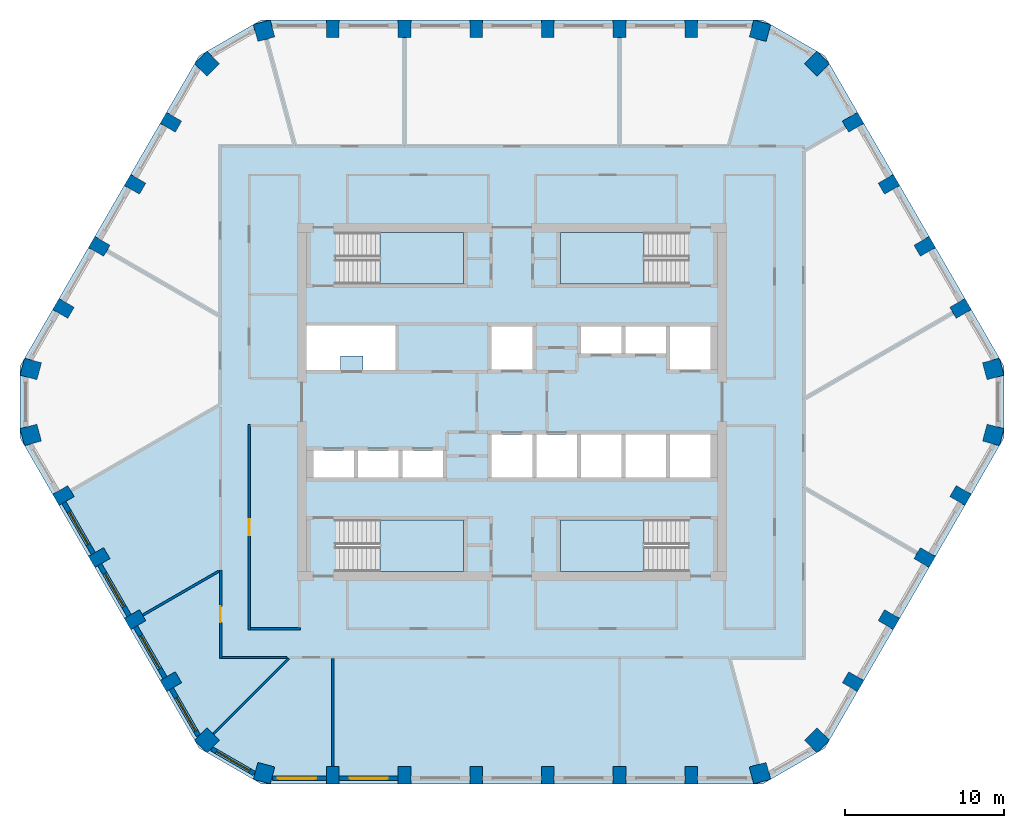
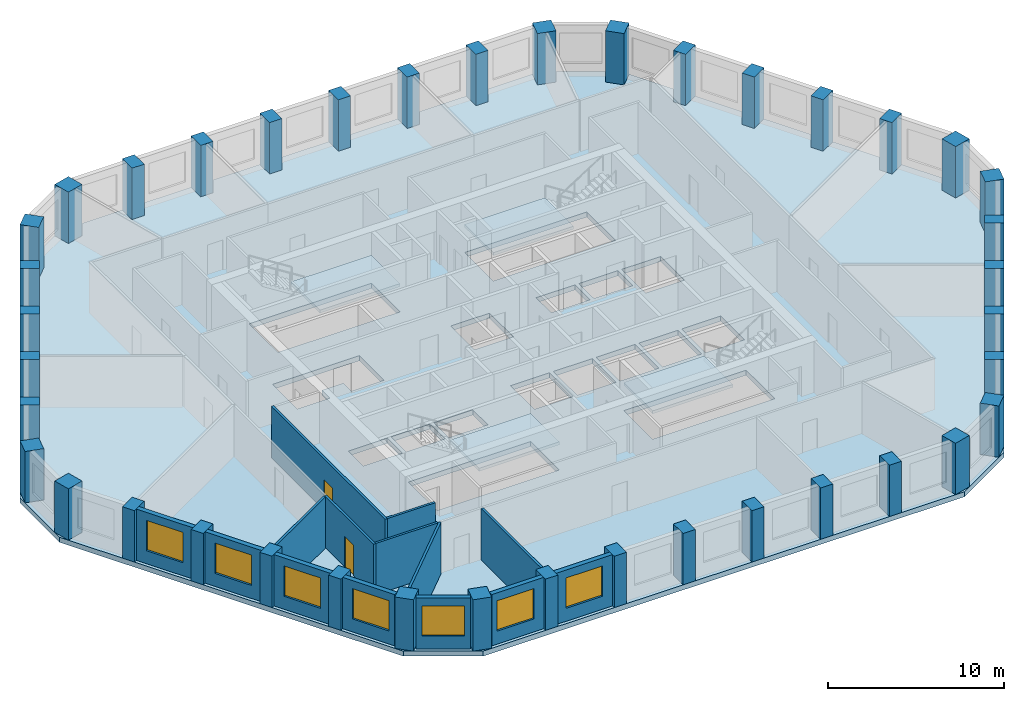
# One storey, part 1 of 13: 40 columns, 14 walls, 7 windows, 5 slabs, 2 doors, 9 openings, 4 elements without a shape of their own.
"""IFC4 building model written with IfcOpenShell, lengths in metres."""

from ifc_helpers import new_model, si_unit, direction, frame, frame_2d, origin, origin_2d, place, context, subcontext, project, spatial, polyline, rectangle, outline, extrude, material, layer, layer_set, material_profile, profile_set, type_object, element, fill, aggregate, save


model = new_model("IFC4")

# Units and contexts
model_context = context("Model", 3, precision=1e-05, world=origin(), true_north=direction((0.0, 1.0)))
body_context = subcontext(model_context, "Body", "Model", "MODEL_VIEW")
ifc_project = project(units=[si_unit("LENGTHUNIT", "METRE"), si_unit("AREAUNIT", "SQUARE_METRE"), si_unit("VOLUMEUNIT", "CUBIC_METRE"), si_unit("PLANEANGLEUNIT", "RADIAN"), si_unit("MASSUNIT", "GRAM", prefix="KILO")], contexts=[model_context])

# Site, building, storey
site_placement = place(None, origin())
site = spatial("IfcSite", under=ifc_project, at=site_placement, CompositionType="ELEMENT")
building_placement = place(site_placement, origin())
building = spatial("IfcBuilding", under=site, at=building_placement, Name="Dhurran Vertical Campus", CompositionType="ELEMENT")
storey_placement = place(building_placement, frame((0.0, 0.0, 187.800048828125)))
storey = spatial("IfcBuildingStorey", under=building, at=storey_placement, Name="L46", CompositionType="ELEMENT", Elevation=187.800048828125)

# Columns
ifc_material_1 = material(Name="Concrete C50/60", Category="concrete")
ifc_material_profile_1 = material_profile(ifc_material_1, rectangle(XDim=1.10009765625, YDim=1.10009765625, at=origin_2d()), Name="RC 1100x1100")
ifc_profile_set_1 = profile_set([ifc_material_profile_1], Name="Concrete C50/60")
column_type_1 = type_object("IfcColumnType", Name="FR COL RC 1100x1100 C50/60", PredefinedType="COLUMN", material=ifc_profile_set_1)
for number, where, z_axis, x_axis, name in (
    (1, (-15.569580078125, -23.31201171875, 0.0), (0.0, 0.0, 1.0), (0.965925826289, -0.258819045103, 0.0), "Perimeter pier PP4.00"),
    (2, (15.569580078125, -23.31201171875, 0.0), (0.0, 0.0, 1.0), (0.965925826289, 0.258819045103, 0.0), "Perimeter pier PP4.07"),
    (3, (19.154052734375, -21.242431640625, 0.0), (0.0, 0.0, 1.0), (0.707106781187, 0.707106781187, 0.0), "Perimeter pier PP4.08"),
    (4, (30.223388671875, -2.069580078125, 0.0), (0.0, 0.0, 1.0), (0.258819045103, 0.965925826289, 0.0), "Perimeter pier PP4.13"),
    (5, (30.223388671875, 2.069580078125, 0.0), (0.0, 0.0, 1.0), (-0.258819045103, 0.965925826289, 0.0), "Perimeter pier PP4.14"),
    (6, (19.154052734375, 21.242431640625, 0.0), (0.0, 0.0, 1.0), (-0.707106781187, 0.707106781187, 0.0), "Perimeter pier PP4.19"),
    (7, (15.569580078125, 23.31201171875, 0.0), (0.0, 0.0, 1.0), (-0.965925826289, 0.258819045103, 0.0), "Perimeter pier PP4.20"),
    (8, (-15.569580078125, 23.31201171875, 0.0), (0.0, 0.0, 1.0), (-0.965925826289, -0.258819045103, 0.0), "Perimeter pier PP4.27"),
    (9, (-19.154052734375, 21.242431640625, 0.0), (0.0, 0.0, 1.0), (-0.707106781187, -0.707106781187, 0.0), "Perimeter pier PP4.28"),
    (10, (-30.223388671875, 2.069580078125, 0.0), (0.0, 0.0, 1.0), (-0.258819045103, -0.965925826289, 0.0), "Perimeter pier PP4.33"),
    (11, (-30.223388671875, -2.069580078125, 0.0), (0.0, 0.0, 1.0), (0.258819045103, -0.965925826289, 0.0), "Perimeter pier PP4.34"),
    (12, (-19.154052734375, -21.242431640625, 0.0), (0.0, 0.0, 1.0), (0.707106781187, -0.707106781187, 0.0), "Perimeter pier PP4.39"),
):
    element("IfcColumn", number, at=place(storey_placement, frame(where, z_axis=z_axis, x_axis=x_axis)), inside=storey, type_object=column_type_1, Name=name, PredefinedType="COLUMN", context=body_context, shape_type="SweptSolid", body=[
        extrude(rectangle(XDim=1.10009765625, YDim=1.10009765625, at=origin_2d()), origin(), (0.0, 0.0, 1.0), 3.550048828125),
    ])
ifc_material_2 = material(Name="Concrete C50/60", Category="concrete")
ifc_material_profile_2 = material_profile(ifc_material_2, rectangle(XDim=0.800048828125, YDim=1.10009765625, at=origin_2d()), Name="RC 800x1100")
ifc_profile_set_2 = profile_set([ifc_material_profile_2], Name="Concrete C50/60")
column_type_2 = type_object("IfcColumnType", Name="FR COL RC 800x1100 C50/60", PredefinedType="COLUMN", material=ifc_profile_set_2)
for number, where, z_axis, x_axis, name in (
    (13, (-11.25, -23.435546875, 0.0), (0.0, 0.0, 1.0), (1.0, 0.0, 0.0), "Perimeter pier PP4.01"),
    (14, (-6.75, -23.435546875, 0.0), (0.0, 0.0, 1.0), (1.0, 0.0, 0.0), "Perimeter pier PP4.02"),
    (15, (-2.25, -23.435546875, 0.0), (0.0, 0.0, 1.0), (1.0, 0.0, 0.0), "Perimeter pier PP4.03"),
    (16, (2.25, -23.435546875, 0.0), (0.0, 0.0, 1.0), (1.0, 0.0, 0.0), "Perimeter pier PP4.04"),
    (17, (6.75, -23.435546875, 0.0), (0.0, 0.0, 1.0), (1.0, 0.0, 0.0), "Perimeter pier PP4.05"),
    (18, (11.25, -23.435546875, 0.0), (0.0, 0.0, 1.0), (1.0, 0.0, 0.0), "Perimeter pier PP4.06"),
    (19, (21.4208984375, -17.5634765625, 0.0), (0.0, 0.0, 1.0), (0.5, 0.866025403784, 0.0), "Perimeter pier PP4.09"),
    (20, (23.6708984375, -13.666259765625, 0.0), (0.0, 0.0, 1.0), (0.5, 0.866025403784, 0.0), "Perimeter pier PP4.10"),
    (21, (25.9208984375, -9.769287109375, 0.0), (0.0, 0.0, 1.0), (0.5, 0.866025403784, 0.0), "Perimeter pier PP4.11"),
    (22, (28.1708984375, -5.8720703125, 0.0), (0.0, 0.0, 1.0), (0.5, 0.866025403784, 0.0), "Perimeter pier PP4.12"),
    (23, (28.1708984375, 5.8720703125, 0.0), (0.0, 0.0, 1.0), (-0.5, 0.866025403784, 0.0), "Perimeter pier PP4.15"),
    (24, (25.9208984375, 9.769287109375, 0.0), (0.0, 0.0, 1.0), (-0.5, 0.866025403784, 0.0), "Perimeter pier PP4.16"),
    (25, (23.6708984375, 13.666259765625, 0.0), (0.0, 0.0, 1.0), (-0.5, 0.866025403784, 0.0), "Perimeter pier PP4.17"),
    (26, (21.4208984375, 17.5634765625, 0.0), (0.0, 0.0, 1.0), (-0.5, 0.866025403784, 0.0), "Perimeter pier PP4.18"),
    (27, (11.25, 23.435546875, 0.0), (0.0, 0.0, 1.0), (-1.0, 0.0, 0.0), "Perimeter pier PP4.21"),
    (28, (6.75, 23.435546875, 0.0), (0.0, 0.0, 1.0), (-1.0, 0.0, 0.0), "Perimeter pier PP4.22"),
    (29, (2.25, 23.435546875, 0.0), (0.0, 0.0, 1.0), (-1.0, 0.0, 0.0), "Perimeter pier PP4.23"),
    (30, (-2.25, 23.435546875, 0.0), (0.0, 0.0, 1.0), (-1.0, 0.0, 0.0), "Perimeter pier PP4.24"),
    (31, (-6.75, 23.435546875, 0.0), (0.0, 0.0, 1.0), (-1.0, 0.0, 0.0), "Perimeter pier PP4.25"),
    (32, (-11.25, 23.435546875, 0.0), (0.0, 0.0, 1.0), (-1.0, 0.0, 0.0), "Perimeter pier PP4.26"),
    (33, (-21.4208984375, 17.5634765625, 0.0), (0.0, 0.0, 1.0), (-0.5, -0.866025403784, 0.0), "Perimeter pier PP4.29"),
    (34, (-23.6708984375, 13.666259765625, 0.0), (0.0, 0.0, 1.0), (-0.5, -0.866025403784, 0.0), "Perimeter pier PP4.30"),
    (35, (-25.9208984375, 9.769287109375, 0.0), (0.0, 0.0, 1.0), (-0.5, -0.866025403784, 0.0), "Perimeter pier PP4.31"),
    (36, (-28.1708984375, 5.8720703125, 0.0), (0.0, 0.0, 1.0), (-0.5, -0.866025403784, 0.0), "Perimeter pier PP4.32"),
    (37, (-28.1708984375, -5.8720703125, 0.0), (0.0, 0.0, 1.0), (0.5, -0.866025403784, 0.0), "Perimeter pier PP4.35"),
    (38, (-25.9208984375, -9.769287109375, 0.0), (0.0, 0.0, 1.0), (0.5, -0.866025403784, 0.0), "Perimeter pier PP4.36"),
    (39, (-23.6708984375, -13.666259765625, 0.0), (0.0, 0.0, 1.0), (0.5, -0.866025403784, 0.0), "Perimeter pier PP4.37"),
    (40, (-21.4208984375, -17.5634765625, 0.0), (0.0, 0.0, 1.0), (0.5, -0.866025403784, 0.0), "Perimeter pier PP4.38"),
):
    element("IfcColumn", number, at=place(storey_placement, frame(where, z_axis=z_axis, x_axis=x_axis)), inside=storey, type_object=column_type_2, Name=name, PredefinedType="COLUMN", context=body_context, shape_type="SweptSolid", body=[
        extrude(rectangle(XDim=0.800048828125, YDim=1.10009765625, at=origin_2d()), origin(), (0.0, 0.0, 1.0), 3.550048828125),
    ])

# Slab
ifc_material_3 = material(Name="Concrete C40/50", Category="concrete")
ifc_layer_1 = layer(ifc_material_3, 0.35009765625)
ifc_layer_set_1 = layer_set([ifc_layer_1], Name="Concrete C40/50")
slab_type_1 = type_object("IfcSlabType", Name="FR POST-TENSIONED FLAT SLAB 350", PredefinedType="FLOOR", material=ifc_layer_set_1)
slab_1_placement = place(storey_placement, frame((0.0, 0.0, -0.35009765625)))
element("IfcSlab", 41, at=slab_1_placement, inside=storey, type_object=slab_type_1, Name="Floor slab L46", PredefinedType="FLOOR", context=body_context, shape_type="SweptSolid", body=[
    extrude(outline(polyline([(-15.75, -23.985595703125), (15.75, -23.985595703125), (19.647216796875, -21.735595703125), (30.897216796875, -2.25), (30.897216796875, 2.25), (19.647216796875, 21.735595703125), (15.75, 23.985595703125), (-15.75, 23.985595703125), (-19.647216796875, 21.735595703125), (-30.897216796875, 2.25), (-30.897216796875, -2.25), (-19.647216796875, -21.735595703125), (-15.75, -23.985595703125)]), holes=[polyline([(-1.27490234375, 2.050048828125), (1.27490234375, 2.050048828125), (1.27490234375, 4.75), (-1.27490234375, 4.75), (-1.27490234375, 2.050048828125)]), polyline([(9.925048828125, 2.050048828125), (12.47509765625, 2.050048828125), (12.47509765625, 4.75), (9.925048828125, 4.75), (9.925048828125, 2.050048828125)]), polyline([(-1.27490234375, -4.75), (1.27490234375, -4.75), (1.27490234375, -2.050048828125), (-1.27490234375, -2.050048828125), (-1.27490234375, -4.75)]), polyline([(1.52490234375, -4.75), (4.074951171875, -4.75), (4.074951171875, -2.050048828125), (1.52490234375, -2.050048828125), (1.52490234375, -4.75)]), polyline([(4.324951171875, -4.75), (6.875, -4.75), (6.875, -2.050048828125), (4.324951171875, -2.050048828125), (4.324951171875, -4.75)]), polyline([(7.125, -4.75), (9.675048828125, -4.75), (9.675048828125, -2.050048828125), (7.125, -2.050048828125), (7.125, -4.75)]), polyline([(9.925048828125, -4.75), (12.47509765625, -4.75), (12.47509765625, -2.050048828125), (9.925048828125, -2.050048828125), (9.925048828125, -4.75)]), polyline([(4.324951171875, 3.050048828125), (6.875, 3.050048828125), (6.875, 4.75), (4.324951171875, 4.75), (4.324951171875, 3.050048828125)]), polyline([(7.125, 3.050048828125), (9.675048828125, 3.050048828125), (9.675048828125, 4.75), (7.125, 4.75), (7.125, 3.050048828125)]), polyline([(-12.47509765625, -4.75), (-9.925048828125, -4.75), (-9.925048828125, -3.050048828125), (-12.47509765625, -3.050048828125), (-12.47509765625, -4.75)]), polyline([(-9.675048828125, -4.75), (-7.125, -4.75), (-7.125, -3.050048828125), (-9.675048828125, -3.050048828125), (-9.675048828125, -4.75)]), polyline([(-6.875, -4.75), (-4.324951171875, -4.75), (-4.324951171875, -3.050048828125), (-6.875, -3.050048828125), (-6.875, -4.75)]), polyline([(-11.050048828125, 7.39990234375), (-3.050048828125, 7.39990234375), (-3.050048828125, 10.64990234375), (-11.050048828125, 10.64990234375), (-11.050048828125, 7.39990234375)]), polyline([(3.050048828125, 7.39990234375), (11.050048828125, 7.39990234375), (11.050048828125, 10.64990234375), (3.050048828125, 10.64990234375), (3.050048828125, 7.39990234375)]), polyline([(-11.050048828125, -10.64990234375), (-3.050048828125, -10.64990234375), (-3.050048828125, -7.39990234375), (-11.050048828125, -7.39990234375), (-11.050048828125, -10.64990234375)]), polyline([(3.050048828125, -10.64990234375), (11.050048828125, -10.64990234375), (11.050048828125, -7.39990234375), (3.050048828125, -7.39990234375), (3.050048828125, -10.64990234375)]), polyline([(-7.21240234375, 4.800048828125), (-7.21240234375, 2.0), (-9.356201171875, 2.0), (-9.356201171875, 2.89990234375), (-10.756103515625, 2.89990234375), (-10.756103515625, 2.0), (-12.89990234375, 2.0), (-12.89990234375, 4.800048828125), (-7.21240234375, 4.800048828125)])]), origin(), (0.0, 0.0, 1.0), 0.35009765625),
])

# Stair, slab
ifc_material_4 = material(Name="Concrete C40/50", Category="concrete")
stair_type = type_object("IfcStairType", Name="co-ST-CORE", PredefinedType="HALF_TURN_STAIR", material=ifc_material_4)
stair_1_placement = place(storey_placement, origin())
stair_1 = element("IfcStair", 42, at=stair_1_placement, inside=storey, type_object=stair_type, Name="L46 Protected exit stair ST1", PredefinedType="HALF_TURN_STAIR")
ifc_material_5 = material(Name="Concrete C40/50", Category="concrete")
ifc_layer_2 = layer(ifc_material_5, 0.199951171875)
ifc_layer_set_2 = layer_set([ifc_layer_2], Name="Concrete C40/50")
slab_type_2 = type_object("IfcSlabType", Name="co-SL-LANDING", PredefinedType="LANDING", material=ifc_layer_set_2)
slab_2_placement = place(storey_placement, frame((0.0, 0.0, 1.75)))
slab_2 = element("IfcSlab", 43, at=slab_2_placement, type_object=slab_type_2, Name="ST1 landing 1", PredefinedType="LANDING", context=body_context, shape_type="SweptSolid", body=[
    extrude(outline(polyline([(-8.300048828125, 7.39990234375), (-3.050048828125, 7.39990234375), (-3.050048828125, 10.64990234375), (-8.300048828125, 10.64990234375), (-8.300048828125, 7.39990234375)])), origin(), (0.0, 0.0, 1.0), 0.199951171875),
])
aggregate(stair_1, [slab_2])

stair_2_placement = place(storey_placement, origin())
stair_2 = element("IfcStair", 44, at=stair_2_placement, inside=storey, type_object=stair_type, Name="L46 Protected exit stair ST2", PredefinedType="HALF_TURN_STAIR")
slab_3_placement = place(storey_placement, frame((0.0, 0.0, 1.75)))
slab_3 = element("IfcSlab", 45, at=slab_3_placement, type_object=slab_type_2, Name="ST2 landing 1", PredefinedType="LANDING", context=body_context, shape_type="SweptSolid", body=[
    extrude(outline(polyline([(8.300048828125, 10.64990234375), (3.050048828125, 10.64990234375), (3.050048828125, 7.39990234375), (8.300048828125, 7.39990234375), (8.300048828125, 10.64990234375)])), origin(), (0.0, 0.0, 1.0), 0.199951171875),
])
aggregate(stair_2, [slab_3])

stair_3_placement = place(storey_placement, origin())
stair_3 = element("IfcStair", 46, at=stair_3_placement, inside=storey, type_object=stair_type, Name="L46 Protected exit stair ST3", PredefinedType="HALF_TURN_STAIR")
slab_4_placement = place(storey_placement, frame((0.0, 0.0, 1.75)))
slab_4 = element("IfcSlab", 47, at=slab_4_placement, type_object=slab_type_2, Name="ST3 landing 1", PredefinedType="LANDING", context=body_context, shape_type="SweptSolid", body=[
    extrude(outline(polyline([(-8.300048828125, -10.64990234375), (-3.050048828125, -10.64990234375), (-3.050048828125, -7.39990234375), (-8.300048828125, -7.39990234375), (-8.300048828125, -10.64990234375)])), origin(), (0.0, 0.0, 1.0), 0.199951171875),
])
aggregate(stair_3, [slab_4])

stair_4_placement = place(storey_placement, origin())
stair_4 = element("IfcStair", 48, at=stair_4_placement, inside=storey, type_object=stair_type, Name="L46 Protected exit stair ST4", PredefinedType="HALF_TURN_STAIR")
slab_5_placement = place(storey_placement, frame((0.0, 0.0, 1.75)))
slab_5 = element("IfcSlab", 49, at=slab_5_placement, type_object=slab_type_2, Name="ST4 landing 1", PredefinedType="LANDING", context=body_context, shape_type="SweptSolid", body=[
    extrude(outline(polyline([(8.300048828125, -7.39990234375), (3.050048828125, -7.39990234375), (3.050048828125, -10.64990234375), (8.300048828125, -10.64990234375), (8.300048828125, -7.39990234375)])), origin(), (0.0, 0.0, 1.0), 0.199951171875),
])
aggregate(stair_4, [slab_5])

# Wall, opening, window
ifc_material_6 = material(Name="Precast concrete C50/60", Category="concrete")
ifc_layer_3 = layer(ifc_material_6, 0.300048828125)
ifc_layer_set_3 = layer_set([ifc_layer_3], Name="Precast concrete C50/60")
wall_type_1 = type_object("IfcWallType", Name="Precast spandrel wall 300", PredefinedType="SOLIDWALL", material=ifc_layer_set_3)
wall_1_placement = place(storey_placement, frame((-15.04638671875, -23.635498046875, 0.0), z_axis=(0.0, 0.0, 1.0), x_axis=(1.0, 0.0, 0.0)))
wall_1 = element("IfcWall", 50, at=wall_1_placement, inside=storey, type_object=wall_type_1, Name="EW1 L46.00", PredefinedType="SOLIDWALL", context=body_context, shape_type="SweptSolid", body=[
    extrude(rectangle(XDim=3.39599609375, YDim=0.300048828125, at=frame_2d((1.697998046875, 0.0))), origin(), (0.0, 0.0, 1.0), 3.550048828125),
])
opening_1_placement = place(wall_1_placement, frame((0.34619140625, 0.0, 0.89990234375)))
opening_1 = element("IfcOpeningElement", 51, at=opening_1_placement, cuts=wall_1, Name="Opening WT1", PredefinedType="OPENING", context=body_context, shape_type="SweptSolid", body=[
    extrude(rectangle(XDim=2.39990234375, YDim=2.10009765625, at=frame_2d((1.199951171875, 1.050048828125))), frame((0.0, 0.159912109375, 0.0), z_axis=(0.0, -1.0, 0.0), x_axis=(1.0, 0.0, 0.0)), (0.0, 0.0, 1.0), 0.320068359375),
])
ifc_material_7 = material(Name="Aluminium frame with solar-control glass", Category="aluminium")
window_type = type_object("IfcWindowType", Name="Punched window 2400 x 2100", PartitioningType="SINGLE_PANEL", PredefinedType="WINDOW", material=ifc_material_7)
window_1_placement = place(opening_1_placement, origin())
window_1 = element("IfcWindow", 52, at=window_1_placement, inside=storey, type_object=window_type, Name="WT1 L46.00", OverallHeight=2.10009765625, OverallWidth=2.39990234375, PartitioningType="SINGLE_PANEL", PredefinedType="WINDOW", context=body_context, shape_type="SweptSolid", body=[
    extrude(rectangle(XDim=2.39990234375, YDim=2.10009765625, at=frame_2d((1.199951171875, 1.050048828125))), frame((0.0, 0.030029296875, 0.0), z_axis=(0.0, -1.0, 0.0), x_axis=(1.0, 0.0, 0.0)), (0.0, 0.0, 1.0), 0.06005859375),
])
fill(opening_1, window_1)

wall_2_placement = place(storey_placement, frame((-10.849609375, -23.635498046875, 0.0), z_axis=(0.0, 0.0, 1.0), x_axis=(1.0, 0.0, 0.0)))
wall_2 = element("IfcWall", 53, at=wall_2_placement, inside=storey, type_object=wall_type_1, Name="EW1 L46.01", PredefinedType="SOLIDWALL", context=body_context, shape_type="SweptSolid", body=[
    extrude(rectangle(XDim=3.69921875, YDim=0.300048828125, at=frame_2d((1.849609375, 0.0))), origin(), (0.0, 0.0, 1.0), 3.550048828125),
])
opening_2_placement = place(wall_2_placement, frame((0.6494140625, 0.0, 0.89990234375)))
opening_2 = element("IfcOpeningElement", 54, at=opening_2_placement, cuts=wall_2, Name="Opening WT1", PredefinedType="OPENING", context=body_context, shape_type="SweptSolid", body=[
    extrude(rectangle(XDim=2.39990234375, YDim=2.10009765625, at=frame_2d((1.199951171875, 1.050048828125))), frame((0.0, 0.159912109375, 0.0), z_axis=(0.0, -1.0, 0.0), x_axis=(1.0, 0.0, 0.0)), (0.0, 0.0, 1.0), 0.320068359375),
])
window_2_placement = place(opening_2_placement, origin())
window_2 = element("IfcWindow", 55, at=window_2_placement, inside=storey, type_object=window_type, Name="WT1 L46.01", OverallHeight=2.10009765625, OverallWidth=2.39990234375, PartitioningType="SINGLE_PANEL", PredefinedType="WINDOW", context=body_context, shape_type="SweptSolid", body=[
    extrude(rectangle(XDim=2.39990234375, YDim=2.10009765625, at=frame_2d((1.199951171875, 1.050048828125))), frame((0.0, 0.030029296875, 0.0), z_axis=(0.0, -1.0, 0.0), x_axis=(1.0, 0.0, 0.0)), (0.0, 0.0, 1.0), 0.06005859375),
])
fill(opening_2, window_2)

wall_3_placement = place(storey_placement, frame((-28.143798828125, -6.319091796875, 0.0), z_axis=(0.0, 0.0, 1.0), x_axis=(0.500029062817, -0.866008623709, 0.0)))
wall_3 = element("IfcWall", 56, at=wall_3_placement, inside=storey, type_object=wall_type_1, Name="EW1 L46.35", PredefinedType="SOLIDWALL", context=body_context, shape_type="SweptSolid", body=[
    extrude(rectangle(XDim=3.698974609375, YDim=0.300048828125, at=frame_2d((1.849609375, 0.0))), origin(), (0.0, 0.0, 1.0), 3.550048828125),
])
opening_3_placement = place(wall_3_placement, frame((0.6494140625, 0.0, 0.89990234375)))
opening_3 = element("IfcOpeningElement", 57, at=opening_3_placement, cuts=wall_3, Name="Opening WT1", PredefinedType="OPENING", context=body_context, shape_type="SweptSolid", body=[
    extrude(rectangle(XDim=2.39990234375, YDim=2.10009765625, at=frame_2d((1.199951171875, 1.050048828125))), frame((0.0, 0.159912109375, 0.0), z_axis=(0.0, -1.0, 0.0), x_axis=(1.0, 0.0, 0.0)), (0.0, 0.0, 1.0), 0.320068359375),
])
window_3_placement = place(opening_3_placement, origin())
window_3 = element("IfcWindow", 58, at=window_3_placement, inside=storey, type_object=window_type, Name="WT1 L46.35", OverallHeight=2.10009765625, OverallWidth=2.39990234375, PartitioningType="SINGLE_PANEL", PredefinedType="WINDOW", context=body_context, shape_type="SweptSolid", body=[
    extrude(rectangle(XDim=2.39990234375, YDim=2.10009765625, at=frame_2d((1.199951171875, 1.050048828125))), frame((0.0, 0.030029296875, 0.0), z_axis=(0.0, -1.0, 0.0), x_axis=(1.0, 0.0, 0.0)), (0.0, 0.0, 1.0), 0.06005859375),
])
fill(opening_3, window_3)

wall_4_placement = place(storey_placement, frame((-25.893798828125, -10.216064453125, 0.0), z_axis=(0.0, 0.0, 1.0), x_axis=(0.500029062817, -0.866008623709, 0.0)))
wall_4 = element("IfcWall", 59, at=wall_4_placement, inside=storey, type_object=wall_type_1, Name="EW1 L46.36", PredefinedType="SOLIDWALL", context=body_context, shape_type="SweptSolid", body=[
    extrude(rectangle(XDim=3.698974609375, YDim=0.300048828125, at=frame_2d((1.849609375, 0.0))), origin(), (0.0, 0.0, 1.0), 3.550048828125),
])
opening_4_placement = place(wall_4_placement, frame((0.6494140625, 0.0, 0.89990234375)))
opening_4 = element("IfcOpeningElement", 60, at=opening_4_placement, cuts=wall_4, Name="Opening WT1", PredefinedType="OPENING", context=body_context, shape_type="SweptSolid", body=[
    extrude(rectangle(XDim=2.39990234375, YDim=2.10009765625, at=frame_2d((1.199951171875, 1.050048828125))), frame((0.0, 0.159912109375, 0.0), z_axis=(0.0, -1.0, 0.0), x_axis=(1.0, 0.0, 0.0)), (0.0, 0.0, 1.0), 0.320068359375),
])
window_4_placement = place(opening_4_placement, origin())
window_4 = element("IfcWindow", 61, at=window_4_placement, inside=storey, type_object=window_type, Name="WT1 L46.36", OverallHeight=2.10009765625, OverallWidth=2.39990234375, PartitioningType="SINGLE_PANEL", PredefinedType="WINDOW", context=body_context, shape_type="SweptSolid", body=[
    extrude(rectangle(XDim=2.39990234375, YDim=2.10009765625, at=frame_2d((1.199951171875, 1.050048828125))), frame((0.0, 0.030029296875, 0.0), z_axis=(0.0, -1.0, 0.0), x_axis=(1.0, 0.0, 0.0)), (0.0, 0.0, 1.0), 0.06005859375),
])
fill(opening_4, window_4)

wall_5_placement = place(storey_placement, frame((-23.643798828125, -14.11328125, 0.0), z_axis=(0.0, 0.0, 1.0), x_axis=(0.500029062817, -0.866008623709, 0.0)))
wall_5 = element("IfcWall", 62, at=wall_5_placement, inside=storey, type_object=wall_type_1, Name="EW1 L46.37", PredefinedType="SOLIDWALL", context=body_context, shape_type="SweptSolid", body=[
    extrude(rectangle(XDim=3.698974609375, YDim=0.300048828125, at=frame_2d((1.849609375, 0.0))), origin(), (0.0, 0.0, 1.0), 3.550048828125),
])
opening_5_placement = place(wall_5_placement, frame((0.6494140625, 0.0, 0.89990234375)))
opening_5 = element("IfcOpeningElement", 63, at=opening_5_placement, cuts=wall_5, Name="Opening WT1", PredefinedType="OPENING", context=body_context, shape_type="SweptSolid", body=[
    extrude(rectangle(XDim=2.39990234375, YDim=2.10009765625, at=frame_2d((1.199951171875, 1.050048828125))), frame((0.0, 0.159912109375, 0.0), z_axis=(0.0, -1.0, 0.0), x_axis=(1.0, 0.0, 0.0)), (0.0, 0.0, 1.0), 0.320068359375),
])
window_5_placement = place(opening_5_placement, origin())
window_5 = element("IfcWindow", 64, at=window_5_placement, inside=storey, type_object=window_type, Name="WT1 L46.37", OverallHeight=2.10009765625, OverallWidth=2.39990234375, PartitioningType="SINGLE_PANEL", PredefinedType="WINDOW", context=body_context, shape_type="SweptSolid", body=[
    extrude(rectangle(XDim=2.39990234375, YDim=2.10009765625, at=frame_2d((1.199951171875, 1.050048828125))), frame((0.0, 0.030029296875, 0.0), z_axis=(0.0, -1.0, 0.0), x_axis=(1.0, 0.0, 0.0)), (0.0, 0.0, 1.0), 0.06005859375),
])
fill(opening_5, window_5)

wall_6_placement = place(storey_placement, frame((-21.393798828125, -18.01025390625, 0.0), z_axis=(0.0, 0.0, 1.0), x_axis=(0.500012868213, -0.866017974191, 0.0)))
wall_6 = element("IfcWall", 65, at=wall_6_placement, inside=storey, type_object=wall_type_1, Name="EW1 L46.38", PredefinedType="SOLIDWALL", context=body_context, shape_type="SweptSolid", body=[
    extrude(rectangle(XDim=3.39599609375, YDim=0.300048828125, at=frame_2d((1.697998046875, 0.0))), origin(), (0.0, 0.0, 1.0), 3.550048828125),
])
opening_6_placement = place(wall_6_placement, frame((0.6494140625, 0.0, 0.89990234375)))
opening_6 = element("IfcOpeningElement", 66, at=opening_6_placement, cuts=wall_6, Name="Opening WT1", PredefinedType="OPENING", context=body_context, shape_type="SweptSolid", body=[
    extrude(rectangle(XDim=2.39990234375, YDim=2.10009765625, at=frame_2d((1.199951171875, 1.050048828125))), frame((0.0, 0.159912109375, 0.0), z_axis=(0.0, -1.0, 0.0), x_axis=(1.0, 0.0, 0.0)), (0.0, 0.0, 1.0), 0.320068359375),
])
window_6_placement = place(opening_6_placement, origin())
window_6 = element("IfcWindow", 67, at=window_6_placement, inside=storey, type_object=window_type, Name="WT1 L46.38", OverallHeight=2.10009765625, OverallWidth=2.39990234375, PartitioningType="SINGLE_PANEL", PredefinedType="WINDOW", context=body_context, shape_type="SweptSolid", body=[
    extrude(rectangle(XDim=2.39990234375, YDim=2.10009765625, at=frame_2d((1.199951171875, 1.050048828125))), frame((0.0, 0.030029296875, 0.0), z_axis=(0.0, -1.0, 0.0), x_axis=(1.0, 0.0, 0.0)), (0.0, 0.0, 1.0), 0.06005859375),
])
fill(opening_6, window_6)

wall_7_placement = place(storey_placement, frame((-18.86279296875, -21.7841796875, 0.0), z_axis=(0.0, 0.0, 1.0), x_axis=(0.865994975416, -0.500052699777, 0.0)))
wall_7 = element("IfcWall", 68, at=wall_7_placement, inside=storey, type_object=wall_type_1, Name="EW1 L46.39", PredefinedType="SOLIDWALL", context=body_context, shape_type="SweptSolid", body=[
    extrude(rectangle(XDim=3.093017578125, YDim=0.300048828125, at=frame_2d((1.54638671875, 0.0))), origin(), (0.0, 0.0, 1.0), 3.550048828125),
])
opening_7_placement = place(wall_7_placement, frame((0.34619140625, 0.0, 0.89990234375)))
opening_7 = element("IfcOpeningElement", 69, at=opening_7_placement, cuts=wall_7, Name="Opening WT1", PredefinedType="OPENING", context=body_context, shape_type="SweptSolid", body=[
    extrude(rectangle(XDim=2.39990234375, YDim=2.10009765625, at=frame_2d((1.199951171875, 1.050048828125))), frame((0.0, 0.159912109375, 0.0), z_axis=(0.0, -1.0, 0.0), x_axis=(1.0, 0.0, 0.0)), (0.0, 0.0, 1.0), 0.320068359375),
])
window_7_placement = place(opening_7_placement, origin())
window_7 = element("IfcWindow", 70, at=window_7_placement, inside=storey, type_object=window_type, Name="WT1 L46.39", OverallHeight=2.10009765625, OverallWidth=2.39990234375, PartitioningType="SINGLE_PANEL", PredefinedType="WINDOW", context=body_context, shape_type="SweptSolid", body=[
    extrude(rectangle(XDim=2.39990234375, YDim=2.10009765625, at=frame_2d((1.199951171875, 1.050048828125))), frame((0.0, 0.030029296875, 0.0), z_axis=(0.0, -1.0, 0.0), x_axis=(1.0, 0.0, 0.0)), (0.0, 0.0, 1.0), 0.06005859375),
])
fill(opening_7, window_7)

# Wall, opening, door
ifc_material_8 = material(Name="Gypsum board corridor wall on steel studs", Category="steel")
ifc_layer_4 = layer(ifc_material_8, 0.14990234375)
ifc_layer_set_4 = layer_set([ifc_layer_4], Name="Gypsum board corridor wall on steel studs")
wall_type_2 = type_object("IfcWallType", Name="fl-CW-150 corridor wall", PredefinedType="PARTITIONING", material=ifc_layer_set_4)
wall_8_placement = place(storey_placement, frame((-18.300048828125, -10.56591796875, 0.0), z_axis=(0.0, 0.0, 1.0), x_axis=(0.0, -1.0, 0.0)))
wall_8 = element("IfcWall", 71, at=wall_8_placement, inside=storey, type_object=wall_type_2, Name="Partition 46-05", PredefinedType="PARTITIONING", context=body_context, shape_type="SweptSolid", body=[
    extrude(rectangle(XDim=5.55908203125, YDim=0.14990234375, at=frame_2d((2.779541015625, 0.0))), origin(), (0.0, 0.0, 1.0), 3.550048828125),
])
opening_8_placement = place(wall_8_placement, frame((2.279541015625, 0.0, 0.0)))
opening_8 = element("IfcOpeningElement", 72, at=opening_8_placement, cuts=wall_8, Name="Opening T13.04", PredefinedType="OPENING", context=body_context, shape_type="SweptSolid", body=[
    extrude(rectangle(XDim=1.0, YDim=2.10009765625, at=frame_2d((0.5, 1.050048828125))), frame((0.0, 0.0849609375, 0.0), z_axis=(0.0, -1.0, 0.0), x_axis=(1.0, 0.0, 0.0)), (0.0, 0.0, 1.0), 0.169921875),
])
ifc_material_9 = material(Name="Solid-core timber door set, fire-rated", Category="wood")
door_type = type_object("IfcDoorType", Name="fl-D-1000x2100", OperationType="SINGLE_SWING_LEFT", PredefinedType="DOOR", material=ifc_material_9)
door_1_placement = place(opening_8_placement, origin())
door_1 = element("IfcDoor", 73, at=door_1_placement, inside=storey, type_object=door_type, Name="Door 46.04", OperationType="SINGLE_SWING_RIGHT", OverallHeight=2.10009765625, OverallWidth=1.0, PredefinedType="DOOR", context=body_context, shape_type="SweptSolid", body=[
    extrude(rectangle(XDim=1.0, YDim=2.10009765625, at=frame_2d((0.5, 1.050048828125))), frame((0.0, 0.02490234375, 0.0), z_axis=(0.0, -1.0, 0.0), x_axis=(1.0, 0.0, 0.0)), (0.0, 0.0, 1.0), 0.050048828125),
])
fill(opening_8, door_1)

# Wall
wall_9_placement = place(storey_placement, frame((-18.22509765625, -16.050048828125, 0.0), z_axis=(0.0, 0.0, 1.0), x_axis=(1.0, 0.0, 0.0)))
element("IfcWall", 74, at=wall_9_placement, inside=storey, type_object=wall_type_2, Name="Partition 46-06", PredefinedType="PARTITIONING", context=body_context, shape_type="SweptSolid", body=[
    extrude(rectangle(XDim=4.088134765625, YDim=0.14990234375, at=frame_2d((2.0439453125, 0.0))), origin(), (0.0, 0.0, 1.0), 3.550048828125),
])

# Wall, opening, door
wall_10_placement = place(storey_placement, frame((-16.5, -14.324951171875, 0.0), z_axis=(0.0, 0.0, 1.0), x_axis=(0.0, 1.0, 0.0)))
wall_10 = element("IfcWall", 75, at=wall_10_placement, inside=storey, type_object=wall_type_2, Name="Partition 46-11", PredefinedType="PARTITIONING", context=body_context, shape_type="SweptSolid", body=[
    extrude(rectangle(XDim=12.89990234375, YDim=0.14990234375, at=frame_2d((6.449951171875, 0.0))), origin(), (0.0, 0.0, 1.0), 3.550048828125),
])
opening_9_placement = place(wall_10_placement, frame((5.949951171875, 0.0, 0.0)))
opening_9 = element("IfcOpeningElement", 76, at=opening_9_placement, cuts=wall_10, Name="Opening T13.06", PredefinedType="OPENING", context=body_context, shape_type="SweptSolid", body=[
    extrude(rectangle(XDim=1.0, YDim=2.10009765625, at=frame_2d((0.5, 1.050048828125))), frame((0.0, 0.0849609375, 0.0), z_axis=(0.0, -1.0, 0.0), x_axis=(1.0, 0.0, 0.0)), (0.0, 0.0, 1.0), 0.169921875),
])
door_2_placement = place(opening_9_placement, origin())
door_2 = element("IfcDoor", 77, at=door_2_placement, inside=storey, type_object=door_type, Name="Door 46.06", OperationType="SINGLE_SWING_LEFT", OverallHeight=2.10009765625, OverallWidth=1.0, PredefinedType="DOOR", context=body_context, shape_type="SweptSolid", body=[
    extrude(rectangle(XDim=1.0, YDim=2.10009765625, at=frame_2d((0.5, 1.050048828125))), frame((0.0, 0.02490234375, 0.0), z_axis=(0.0, -1.0, 0.0), x_axis=(1.0, 0.0, 0.0)), (0.0, 0.0, 1.0), 0.050048828125),
])
fill(opening_9, door_2)

# Walls
wall_11_placement = place(storey_placement, frame((-13.27490234375, -14.25, 0.0), z_axis=(0.0, 0.0, 1.0), x_axis=(-1.0, 0.0, 0.0)))
element("IfcWall", 78, at=wall_11_placement, inside=storey, type_object=wall_type_2, Name="Partition 46-12", PredefinedType="PARTITIONING", context=body_context, shape_type="SweptSolid", body=[
    extrude(rectangle(XDim=3.150146484375, YDim=0.14990234375, at=frame_2d((1.5751953125, 0.0))), origin(), (0.0, 0.0, 1.0), 3.550048828125),
])
ifc_material_10 = material(Name="Gypsum board partition on steel studs", Category="steel")
ifc_layer_5 = layer(ifc_material_10, 0.14990234375)
ifc_layer_set_5 = layer_set([ifc_layer_5], Name="Gypsum board partition on steel studs")
wall_type_3 = type_object("IfcWallType", Name="fl-PW-150 fixed partition", PredefinedType="PARTITIONING", material=ifc_layer_set_5)
wall_12_placement = place(storey_placement, frame((-18.41259765625, -10.631103515625, 0.0), z_axis=(0.0, 0.0, 1.0), x_axis=(-0.866074743691, -0.499914531035, 0.0)))
element("IfcWall", 79, at=wall_12_placement, inside=storey, type_object=wall_type_3, Name="Partition 46-03", PredefinedType="PARTITIONING", context=body_context, shape_type="SweptSolid", body=[
    extrude(rectangle(XDim=5.50146484375, YDim=0.14990234375, at=frame_2d((2.750732421875, 0.0))), origin(), (0.0, 0.0, 1.0), 3.550048828125),
])
wall_13_placement = place(storey_placement, frame((-14.014892578125, -16.10302734375, 0.0), z_axis=(0.0, 0.0, 1.0), x_axis=(-0.707052104459, -0.707161453686, 0.0)))
element("IfcWall", 80, at=wall_13_placement, inside=storey, type_object=wall_type_3, Name="Partition 46-04", PredefinedType="PARTITIONING", context=body_context, shape_type="SweptSolid", body=[
    extrude(rectangle(XDim=6.697998046875, YDim=0.14990234375, at=frame_2d((3.34912109375, 0.0))), origin(), (0.0, 0.0, 1.0), 3.550048828125),
])
wall_14_placement = place(storey_placement, frame((-11.25, -16.125, 0.0), z_axis=(0.0, 0.0, 1.0), x_axis=(0.0, -1.0, 0.0)))
element("IfcWall", 81, at=wall_14_placement, inside=storey, type_object=wall_type_3, Name="Partition 46-24", PredefinedType="PARTITIONING", context=body_context, shape_type="SweptSolid", body=[
    extrude(rectangle(XDim=6.740478515625, YDim=0.14990234375, at=frame_2d((3.3701171875, 0.0))), origin(), (0.0, 0.0, 1.0), 3.550048828125),
])

save(model, "model.ifc")
